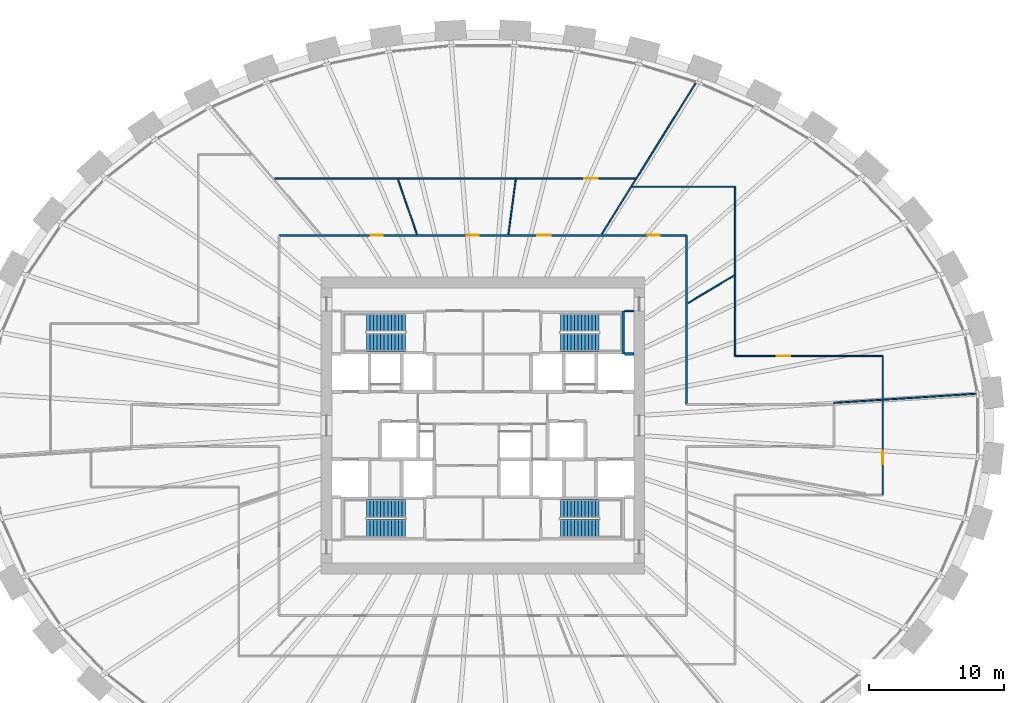
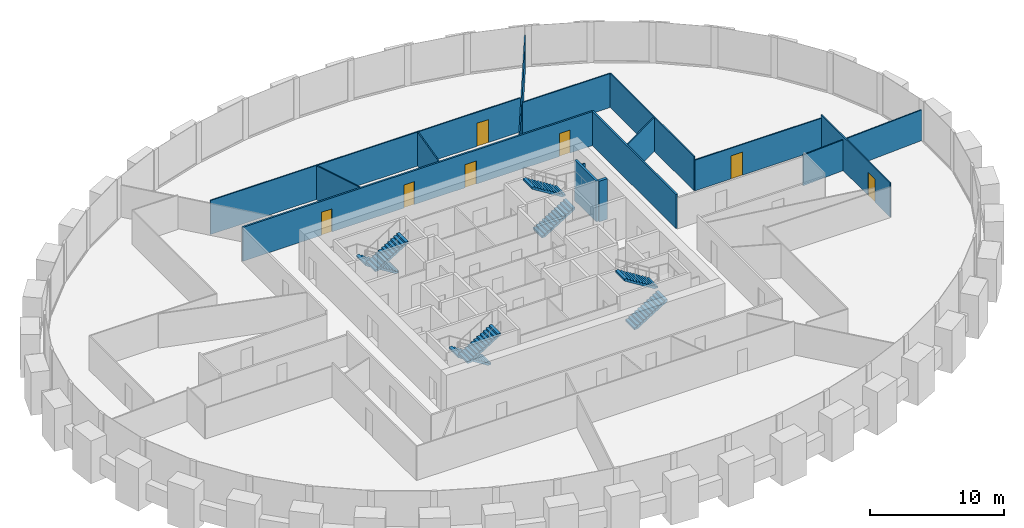
# One storey, part 9 of 10: 15 walls, 8 stair flights, 7 doors, 7 openings, 4 elements without a shape of their own.
"""IFC4 building model written with IfcOpenShell, lengths in metres."""

from ifc_helpers import new_model, si_unit, direction, frame, frame_2d, origin, place, context, subcontext, project, spatial, polyline, rectangle, outline, extrude, source, transform, mapped, material, layer, layer_set, type_object, element, fill, aggregate, save


model = new_model("IFC4")

# Units and contexts
model_context = context("Model", 3, precision=1e-05, world=origin(), true_north=direction((0.0, 1.0)))
body_context = subcontext(model_context, "Body", "Model", "MODEL_VIEW")
ifc_project = project(units=[si_unit("LENGTHUNIT", "METRE"), si_unit("AREAUNIT", "SQUARE_METRE"), si_unit("VOLUMEUNIT", "CUBIC_METRE"), si_unit("PLANEANGLEUNIT", "RADIAN"), si_unit("MASSUNIT", "GRAM", prefix="KILO")], contexts=[model_context])

# Site, building, storey
site_placement = place(None, origin())
site = spatial("IfcSite", under=ifc_project, at=site_placement, CompositionType="ELEMENT")
building_placement = place(site_placement, origin())
building = spatial("IfcBuilding", under=site, at=building_placement, Name="Embergate Tower", CompositionType="ELEMENT")
storey_placement = place(building_placement, frame((0.0, 0.0, 156.0)))
storey = spatial("IfcBuildingStorey", under=building, at=storey_placement, Name="L34", CompositionType="ELEMENT", Elevation=156.0)

# Wall, opening, door
ifc_material_1 = material(Name="Partition dry-lined 100")
ifc_layer_1 = layer(ifc_material_1, 0.10009765625)
ifc_layer_set_1 = layer_set([ifc_layer_1], Name="Partition dry-lined 100")
wall_type_1 = type_object("IfcWallType", Name="Partition dry-lined 100", PredefinedType="PARTITIONING", material=ifc_layer_set_1)
shared_shape_1 = source(origin(), body_context, "Body", "SweptSolid", [
    extrude(rectangle(XDim=10.949951171875, YDim=0.10009765625, at=frame_2d((5.47509765625, 0.0))), origin(), (0.0, 0.0, 1.0), 2.800048828125),
])
wall_1_placement = place(storey_placement, frame((29.64990234375, 5.14990234375, 0.0), z_axis=(0.0, 0.0, 1.0), x_axis=(-1.0, 0.0, 0.0)))
wall_1 = element("IfcWall", 1, at=wall_1_placement, inside=storey, type_object=wall_type_1, Name="IP-1 wall", PredefinedType="PARTITIONING", context=body_context, shape_type="MappedRepresentation", body=[
    mapped(shared_shape_1, transform((0.0, 0.0, 0.0))),
])
shared_shape_2 = source(origin(), body_context, "Body", "SweptSolid", [
    extrude(rectangle(XDim=1.0, YDim=2.10009765625, at=frame_2d((0.5, 1.050048828125))), frame((0.0, 0.06005859375, 0.0), z_axis=(0.0, -1.0, 0.0), x_axis=(1.0, 0.0, 0.0)), (0.0, 0.0, 1.0), 0.1201171875),
])
opening_1_placement = place(wall_1_placement, frame((6.844970703125, 0.0, 0.0)))
opening_1 = element("IfcOpeningElement", 2, at=opening_1_placement, cuts=wall_1, Name="Opening ID-2", PredefinedType="OPENING", context=body_context, shape_type="MappedRepresentation", body=[
    mapped(shared_shape_2, transform((0.0, 0.0, 0.0))),
])
ifc_material_2 = material(Name="Interior door 1000")
door_type_1 = type_object("IfcDoorType", Name="Interior door 1000", OperationType="SINGLE_SWING_LEFT", PredefinedType="DOOR", material=ifc_material_2)
shared_shape_3 = source(origin(), body_context, "Body", "SweptSolid", [
    extrude(rectangle(XDim=1.0, YDim=2.10009765625, at=frame_2d((0.5, 1.050048828125))), frame((0.0, 0.02490234375, 0.0), z_axis=(0.0, -1.0, 0.0), x_axis=(1.0, 0.0, 0.0)), (0.0, 0.0, 1.0), 0.050048828125),
])
door_1_placement = place(opening_1_placement, origin())
door_1 = element("IfcDoor", 3, at=door_1_placement, inside=storey, type_object=door_type_1, Name="ID-2 door", OperationType="SINGLE_SWING_LEFT", OverallHeight=2.10009765625, OverallWidth=1.0, PredefinedType="DOOR", context=body_context, shape_type="MappedRepresentation", body=[
    mapped(shared_shape_3, transform((0.0, 0.0, 0.0))),
])
fill(opening_1, door_1)

# Walls
ifc_material_3 = material(Name="Concrete C50", Category="concrete")
ifc_layer_2 = layer(ifc_material_3, 0.199951171875)
ifc_layer_set_2 = layer_set([ifc_layer_2], Name="Concrete C50")
wall_type_2 = type_object("IfcWallType", Name="Stair enclosure wall reinforced concrete 250", PredefinedType="SHEAR", material=ifc_layer_set_2)
shared_shape_4 = source(origin(), body_context, "Body", "SweptSolid", [
    extrude(rectangle(XDim=3.196044921875, YDim=0.199951171875, at=frame_2d((1.59814453125, 0.0))), origin(), (0.0, 0.0, 1.0), 3.699951171875),
])
wall_2_placement = place(storey_placement, frame((10.39990234375, 5.302001953125, 0.0), z_axis=(0.0, 0.0, 1.0), x_axis=(0.0, 1.0, 0.0)))
element("IfcWall", 4, at=wall_2_placement, inside=storey, type_object=wall_type_2, Name="SE-1 wall", PredefinedType="SHEAR", context=body_context, shape_type="MappedRepresentation", body=[
    mapped(shared_shape_4, transform((0.0, 0.0, 0.0))),
])
ifc_layer_3 = layer(ifc_material_3, 0.25)
ifc_layer_set_3 = layer_set([ifc_layer_3], Name="Concrete C50")
wall_type_3 = type_object("IfcWallType", Name="Hoistway wall reinforced concrete 250", PredefinedType="SHEAR", material=ifc_layer_set_3)
shared_shape_5 = source(origin(), body_context, "Body", "SweptSolid", [
    extrude(rectangle(XDim=0.697998046875, YDim=0.25, at=frame_2d((0.34912109375, 0.0))), origin(), (0.0, 0.0, 1.0), 3.699951171875),
])
wall_3_placement = place(storey_placement, frame((11.199951171875, 5.300048828125, 0.0), z_axis=(0.0, 0.0, 1.0), x_axis=(-1.0, 0.0, 0.0)))
element("IfcWall", 5, at=wall_3_placement, inside=storey, type_object=wall_type_3, Name="HW-1 wall", PredefinedType="SHEAR", context=body_context, shape_type="MappedRepresentation", body=[
    mapped(shared_shape_5, transform((0.0, 0.0, 0.0))),
])
ifc_material_4 = material(Name="Core partition blockwork 120")
ifc_layer_4 = layer(ifc_material_4, 0.1201171875)
ifc_layer_set_4 = layer_set([ifc_layer_4], Name="Core partition blockwork 120")
wall_type_4 = type_object("IfcWallType", Name="Core partition blockwork 120", PredefinedType="PARTITIONING", material=ifc_layer_set_4)
shared_shape_6 = source(origin(), body_context, "Body", "SweptSolid", [
    extrude(rectangle(XDim=0.697998046875, YDim=0.1201171875, at=frame_2d((0.34912109375, 0.0))), origin(), (0.0, 0.0, 1.0), 3.10009765625),
])
wall_4_placement = place(storey_placement, frame((10.501953125, 8.5, 0.0), z_axis=(0.0, 0.0, 1.0), x_axis=(1.0, 0.0, 0.0)))
element("IfcWall", 6, at=wall_4_placement, inside=storey, type_object=wall_type_4, Name="IP-3 wall", PredefinedType="PARTITIONING", context=body_context, shape_type="MappedRepresentation", body=[
    mapped(shared_shape_6, transform((0.0, 0.0, 0.0))),
])
shared_shape_7 = source(origin(), body_context, "Body", "SweptSolid", [
    extrude(rectangle(XDim=13.261962890625, YDim=0.10009765625, at=frame_2d((6.630859375, 0.0))), origin(), (0.0, 0.0, 1.0), 2.89990234375),
])
wall_5_placement = place(storey_placement, frame((8.824951171875, 14.200927734375, 0.0), z_axis=(0.0, 0.0, 1.0), x_axis=(0.527822867261, 0.849354472995, 0.0)))
element("IfcWall", 7, at=wall_5_placement, inside=storey, type_object=wall_type_1, Name="IP-1 wall", PredefinedType="PARTITIONING", context=body_context, shape_type="MappedRepresentation", body=[
    mapped(shared_shape_7, transform((0.0, 0.0, 0.0))),
])
ifc_material_5 = material(Name="Corridor wall dry-lined 150")
ifc_layer_5 = layer(ifc_material_5, 0.14990234375)
ifc_layer_set_5 = layer_set([ifc_layer_5], Name="Corridor wall dry-lined 150")
wall_type_5 = type_object("IfcWallType", Name="Corridor wall dry-lined 150", PredefinedType="PARTITIONING", material=ifc_layer_set_5)
shared_shape_8 = source(origin(), body_context, "Body", "SweptSolid", [
    extrude(rectangle(XDim=12.550048828125, YDim=0.14990234375, at=frame_2d((6.27490234375, 0.0))), origin(), (0.0, 0.0, 1.0), 3.10009765625),
])
wall_6_placement = place(storey_placement, frame((15.10009765625, 1.550048828125, 0.0), z_axis=(0.0, 0.0, 1.0), x_axis=(0.0, 1.0, 0.0)))
element("IfcWall", 8, at=wall_6_placement, inside=storey, type_object=wall_type_5, Name="IP-2 wall", PredefinedType="PARTITIONING", context=body_context, shape_type="MappedRepresentation", body=[
    mapped(shared_shape_8, transform((0.0, 0.0, 0.0))),
])

# Wall, openings, doors
shared_shape_9 = source(origin(), body_context, "Body", "SweptSolid", [
    extrude(rectangle(XDim=30.2001953125, YDim=0.14990234375, at=frame_2d((15.10009765625, 0.0))), origin(), (0.0, 0.0, 1.0), 3.10009765625),
])
wall_7_placement = place(storey_placement, frame((-15.10009765625, 14.10009765625, 0.0), z_axis=(0.0, 0.0, 1.0), x_axis=(1.0, 0.0, 0.0)))
wall_7 = element("IfcWall", 9, at=wall_7_placement, inside=storey, type_object=wall_type_5, Name="IP-2 wall", PredefinedType="PARTITIONING", context=body_context, shape_type="MappedRepresentation", body=[
    mapped(shared_shape_9, transform((0.0, 0.0, 0.0))),
])
shared_shape_10 = source(origin(), body_context, "Body", "SweptSolid", [
    extrude(rectangle(XDim=0.89990234375, YDim=2.10009765625, at=frame_2d((0.449951171875, 1.050048828125))), frame((0.0, 0.0849609375, 0.0), z_axis=(0.0, -1.0, 0.0), x_axis=(1.0, 0.0, 0.0)), (0.0, 0.0, 1.0), 0.169921875),
])
opening_2_placement = place(wall_7_placement, frame((27.306884765625, 0.0, 0.0)))
opening_2 = element("IfcOpeningElement", 10, at=opening_2_placement, cuts=wall_7, Name="Opening IF-1c", PredefinedType="OPENING", context=body_context, shape_type="MappedRepresentation", body=[
    mapped(shared_shape_10, transform((0.0, 0.0, 0.0))),
])
shared_shape_11 = source(origin(), body_context, "Body", "SweptSolid", [
    extrude(rectangle(XDim=1.0, YDim=2.10009765625, at=frame_2d((0.5, 1.050048828125))), frame((0.0, 0.0849609375, 0.0), z_axis=(0.0, -1.0, 0.0), x_axis=(1.0, 0.0, 0.0)), (0.0, 0.0, 1.0), 0.169921875),
])
opening_3_placement = place(wall_7_placement, frame((19.132080078125, 0.0, 0.0)))
opening_3 = element("IfcOpeningElement", 11, at=opening_3_placement, cuts=wall_7, Name="Opening ID-2", PredefinedType="OPENING", context=body_context, shape_type="MappedRepresentation", body=[
    mapped(shared_shape_11, transform((0.0, 0.0, 0.0))),
])
opening_4_placement = place(wall_7_placement, frame((13.89599609375, 0.0, 0.0)))
opening_4 = element("IfcOpeningElement", 12, at=opening_4_placement, cuts=wall_7, Name="Opening IF-1c", PredefinedType="OPENING", context=body_context, shape_type="MappedRepresentation", body=[
    mapped(shared_shape_10, transform((0.0, 0.0, 0.0))),
])
opening_5_placement = place(wall_7_placement, frame((6.791015625, 0.0, 0.0)))
opening_5 = element("IfcOpeningElement", 13, at=opening_5_placement, cuts=wall_7, Name="Opening IF-1c", PredefinedType="OPENING", context=body_context, shape_type="MappedRepresentation", body=[
    mapped(shared_shape_10, transform((0.0, 0.0, 0.0))),
])
ifc_material_6 = material(Name="Escape fire door 900")
door_type_2 = type_object("IfcDoorType", Name="Escape fire door 900", OperationType="SINGLE_SWING_LEFT", PredefinedType="DOOR", material=ifc_material_6)
shared_shape_12 = source(origin(), body_context, "Body", "SweptSolid", [
    extrude(rectangle(XDim=0.89990234375, YDim=2.10009765625, at=frame_2d((0.449951171875, 1.050048828125))), frame((0.0, 0.02490234375, 0.0), z_axis=(0.0, -1.0, 0.0), x_axis=(1.0, 0.0, 0.0)), (0.0, 0.0, 1.0), 0.050048828125),
])
door_2_placement = place(opening_2_placement, origin())
door_2 = element("IfcDoor", 14, at=door_2_placement, inside=storey, type_object=door_type_2, Name="IF-1 door", OperationType="SINGLE_SWING_LEFT", OverallHeight=2.10009765625, OverallWidth=0.89990234375, PredefinedType="DOOR", context=body_context, shape_type="MappedRepresentation", body=[
    mapped(shared_shape_12, transform((0.0, 0.0, 0.0))),
])
fill(opening_2, door_2)
door_3_placement = place(opening_4_placement, origin())
door_3 = element("IfcDoor", 15, at=door_3_placement, inside=storey, type_object=door_type_2, Name="IF-1 door", OperationType="SINGLE_SWING_RIGHT", OverallHeight=2.10009765625, OverallWidth=0.89990234375, PredefinedType="DOOR", context=body_context, shape_type="MappedRepresentation", body=[
    mapped(shared_shape_12, transform((0.0, 0.0, 0.0))),
])
fill(opening_4, door_3)
door_4_placement = place(opening_5_placement, origin())
door_4 = element("IfcDoor", 16, at=door_4_placement, inside=storey, type_object=door_type_2, Name="IF-1 door", OperationType="SINGLE_SWING_LEFT", OverallHeight=2.10009765625, OverallWidth=0.89990234375, PredefinedType="DOOR", context=body_context, shape_type="MappedRepresentation", body=[
    mapped(shared_shape_12, transform((0.0, 0.0, 0.0))),
])
fill(opening_5, door_4)
door_5_placement = place(opening_3_placement, origin())
door_5 = element("IfcDoor", 17, at=door_5_placement, inside=storey, type_object=door_type_1, Name="ID-2 door", OperationType="SINGLE_SWING_RIGHT", OverallHeight=2.10009765625, OverallWidth=1.0, PredefinedType="DOOR", context=body_context, shape_type="MappedRepresentation", body=[
    mapped(shared_shape_3, transform((0.0, 0.0, 0.0))),
])
fill(opening_3, door_5)

# Walls
shared_shape_13 = source(origin(), body_context, "Body", "SweptSolid", [
    extrude(rectangle(XDim=10.660888671875, YDim=0.10009765625, at=frame_2d((5.33056640625, 0.0))), origin(), (0.0, 0.0, 1.0), 2.800048828125),
])
wall_8_placement = place(storey_placement, frame((26.027099609375, 1.675048828125, 0.0), z_axis=(0.0, 0.0, 1.0), x_axis=(0.997933274946, 0.064258686222, 0.0)))
element("IfcWall", 18, at=wall_8_placement, inside=storey, type_object=wall_type_1, Name="IP-1 wall", PredefinedType="PARTITIONING", context=body_context, shape_type="MappedRepresentation", body=[
    mapped(shared_shape_13, transform((0.0, 0.0, 0.0))),
])
shared_shape_14 = source(origin(), body_context, "Body", "SweptSolid", [
    extrude(rectangle(XDim=12.550048828125, YDim=0.10009765625, at=frame_2d((6.27490234375, 0.0))), origin(), (0.0, 0.0, 1.0), 3.10009765625),
])
wall_9_placement = place(storey_placement, frame((18.699951171875, 5.14990234375, 0.0), z_axis=(0.0, 0.0, 1.0), x_axis=(0.0, 1.0, 0.0)))
element("IfcWall", 19, at=wall_9_placement, inside=storey, type_object=wall_type_1, Name="IP-1 wall", PredefinedType="PARTITIONING", context=body_context, shape_type="MappedRepresentation", body=[
    mapped(shared_shape_14, transform((0.0, 0.0, 0.0))),
])

# Wall, opening, door
shared_shape_15 = source(origin(), body_context, "Body", "SweptSolid", [
    extrude(rectangle(XDim=10.2998046875, YDim=0.10009765625, at=frame_2d((5.14990234375, 0.0))), origin(), (0.0, 0.0, 1.0), 3.10009765625),
])
wall_10_placement = place(storey_placement, frame((29.64990234375, 5.14990234375, 0.0), z_axis=(0.0, 0.0, 1.0), x_axis=(0.0, -1.0, 0.0)))
wall_10 = element("IfcWall", 20, at=wall_10_placement, inside=storey, type_object=wall_type_1, Name="IP-1 wall", PredefinedType="PARTITIONING", context=body_context, shape_type="MappedRepresentation", body=[
    mapped(shared_shape_15, transform((0.0, 0.0, 0.0))),
])
opening_6_placement = place(wall_10_placement, frame((7.034912109375, 0.0, 0.0)))
opening_6 = element("IfcOpeningElement", 21, at=opening_6_placement, cuts=wall_10, Name="Opening ID-2", PredefinedType="OPENING", context=body_context, shape_type="MappedRepresentation", body=[
    mapped(shared_shape_2, transform((0.0, 0.0, 0.0))),
])
door_6_placement = place(opening_6_placement, origin())
door_6 = element("IfcDoor", 22, at=door_6_placement, inside=storey, type_object=door_type_1, Name="ID-2 door", OperationType="SINGLE_SWING_LEFT", OverallHeight=2.10009765625, OverallWidth=1.0, PredefinedType="DOOR", context=body_context, shape_type="MappedRepresentation", body=[
    mapped(shared_shape_3, transform((0.0, 0.0, 0.0))),
])
fill(opening_6, door_6)

# Walls
shared_shape_16 = source(origin(), body_context, "Body", "SweptSolid", [
    extrude(rectangle(XDim=3.986328125, YDim=0.10009765625, at=frame_2d((1.9931640625, 0.0))), origin(), (0.0, 0.0, 1.0), 3.10009765625),
])
wall_11_placement = place(storey_placement, frame((15.200927734375, 9.071044921875, 0.0), z_axis=(0.0, 0.0, 1.0), x_axis=(0.858695630282, 0.512485916425, 0.0)))
element("IfcWall", 23, at=wall_11_placement, inside=storey, type_object=wall_type_1, Name="IP-1 wall", PredefinedType="PARTITIONING", context=body_context, shape_type="MappedRepresentation", body=[
    mapped(shared_shape_16, transform((0.0, 0.0, 0.0))),
])
shared_shape_17 = source(origin(), body_context, "Body", "SweptSolid", [
    extrude(rectangle(XDim=7.61083984375, YDim=0.10009765625, at=frame_2d((3.805419921875, 0.0))), origin(), (0.0, 0.0, 1.0), 3.10009765625),
])
wall_12_placement = place(storey_placement, frame((11.089111328125, 17.699951171875, 0.0), z_axis=(0.0, 0.0, 1.0), x_axis=(1.0, 0.0, 0.0)))
element("IfcWall", 24, at=wall_12_placement, inside=storey, type_object=wall_type_1, Name="IP-1 wall", PredefinedType="PARTITIONING", context=body_context, shape_type="MappedRepresentation", body=[
    mapped(shared_shape_17, transform((0.0, 0.0, 0.0))),
])
shared_shape_18 = source(origin(), body_context, "Body", "SweptSolid", [
    extrude(rectangle(XDim=4.09716796875, YDim=0.10009765625, at=frame_2d((2.048583984375, 0.0))), origin(), (0.0, 0.0, 1.0), 3.10009765625),
])
wall_13_placement = place(storey_placement, frame((1.89697265625, 14.181884765625, 0.0), z_axis=(0.0, 0.0, 1.0), x_axis=(0.1325227982, 0.991179957403, 0.0)))
element("IfcWall", 25, at=wall_13_placement, inside=storey, type_object=wall_type_1, Name="IP-1 wall", PredefinedType="PARTITIONING", context=body_context, shape_type="MappedRepresentation", body=[
    mapped(shared_shape_18, transform((0.0, 0.0, 0.0))),
])

# Wall, opening, door
shared_shape_19 = source(origin(), body_context, "Body", "SweptSolid", [
    extrude(rectangle(XDim=26.718994140625, YDim=0.10009765625, at=frame_2d((13.359375, 0.0))), origin(), (0.0, 0.0, 1.0), 3.10009765625),
])
wall_14_placement = place(storey_placement, frame((-15.43701171875, 18.300048828125, 0.0), z_axis=(0.0, 0.0, 1.0), x_axis=(1.0, 0.0, 0.0)))
wall_14 = element("IfcWall", 26, at=wall_14_placement, inside=storey, type_object=wall_type_1, Name="IP-1 wall", PredefinedType="PARTITIONING", context=body_context, shape_type="MappedRepresentation", body=[
    mapped(shared_shape_19, transform((0.0, 0.0, 0.0))),
])
opening_7_placement = place(wall_14_placement, frame((22.9453125, 0.0, 0.0)))
opening_7 = element("IfcOpeningElement", 27, at=opening_7_placement, cuts=wall_14, Name="Opening ID-2", PredefinedType="OPENING", context=body_context, shape_type="MappedRepresentation", body=[
    mapped(shared_shape_2, transform((0.0, 0.0, 0.0))),
])
door_7_placement = place(opening_7_placement, origin())
door_7 = element("IfcDoor", 28, at=door_7_placement, inside=storey, type_object=door_type_1, Name="ID-2 door", OperationType="SINGLE_SWING_LEFT", OverallHeight=2.10009765625, OverallWidth=1.0, PredefinedType="DOOR", context=body_context, shape_type="MappedRepresentation", body=[
    mapped(shared_shape_3, transform((0.0, 0.0, 0.0))),
])
fill(opening_7, door_7)

# Wall
shared_shape_20 = source(origin(), body_context, "Body", "SweptSolid", [
    extrude(rectangle(XDim=4.276611328125, YDim=0.10009765625, at=frame_2d((2.13818359375, 0.0))), origin(), (0.0, 0.0, 1.0), 3.10009765625),
])
wall_15_placement = place(storey_placement, frame((-4.89501953125, 14.19091796875, 0.0), z_axis=(0.0, 0.0, 1.0), x_axis=(-0.325973089691, 0.945379048211, 0.0)))
element("IfcWall", 29, at=wall_15_placement, inside=storey, type_object=wall_type_1, Name="IP-1 wall", PredefinedType="PARTITIONING", context=body_context, shape_type="MappedRepresentation", body=[
    mapped(shared_shape_20, transform((0.0, 0.0, 0.0))),
])

# Stair, stair flights
ifc_material_7 = material(Name="Exit stair")
stair_type = type_object("IfcStairType", Name="Exit stair", PredefinedType="HALF_TURN_STAIR", material=ifc_material_7)
stair_1_placement = place(storey_placement, origin())
stair_1 = element("IfcStair", 30, at=stair_1_placement, inside=storey, type_object=stair_type, Name="L34 Exit stair 1", PredefinedType="HALF_TURN_STAIR")
ifc_material_8 = material(Name="Concrete C40", Category="concrete")
stair_flight_type = type_object("IfcStairFlightType", Name="Stair flight reinforced concrete", PredefinedType="STRAIGHT", material=ifc_material_8)
shared_shape_21 = source(origin(), body_context, "Body", "SweptSolid", [
    extrude(outline(polyline([(0.0, 0.0), (0.0, 0.16259765625), (0.260009765625, 0.16259765625), (0.260009765625, 0.324951171875), (0.52001953125, 0.324951171875), (0.52001953125, 0.487548828125), (0.780029296875, 0.487548828125), (0.780029296875, 0.64990234375), (1.0400390625, 0.64990234375), (1.0400390625, 0.8125), (1.300048828125, 0.8125), (1.300048828125, 0.97509765625), (1.56005859375, 0.97509765625), (1.56005859375, 1.137451171875), (1.820068359375, 1.137451171875), (1.820068359375, 1.300048828125), (2.080078125, 1.300048828125), (2.080078125, 1.46240234375), (2.340087890625, 1.46240234375), (2.340087890625, 1.625), (2.60009765625, 1.625), (2.60009765625, 1.78759765625), (2.860107421875, 1.78759765625), (2.860107421875, 1.949951171875), (2.860107421875, 1.61083984375), (0.28271484375, 0.0), (0.0, 0.0)])), frame((0.0, 0.675048828125, 0.0), z_axis=(0.0, -1.0, 0.0), x_axis=(1.0, 0.0, 0.0)), (0.0, 0.0, 1.0), 1.35009765625),
])
stair_flight_1_placement = place(storey_placement, frame((-5.75, 7.625, 0.0), z_axis=(0.0, 0.0, 1.0), x_axis=(-1.0, 0.0, 0.0)))
stair_flight_1 = element("IfcStairFlight", 31, at=stair_flight_1_placement, type_object=stair_flight_type, Name="ST1 flight 1", NumberOfRisers=12, NumberOfTreads=11, PredefinedType="STRAIGHT", RiserHeight=0.1625, TreadLength=0.26, context=body_context, shape_type="MappedRepresentation", body=[
    mapped(shared_shape_21, transform((0.0, 0.0, 0.0))),
])
stair_flight_2_placement = place(storey_placement, frame((-8.610107421875, 6.175048828125, 1.949951171875), z_axis=(0.0, 0.0, 1.0), x_axis=(1.0, 0.0, 0.0)))
stair_flight_2 = element("IfcStairFlight", 32, at=stair_flight_2_placement, type_object=stair_flight_type, Name="ST1 flight 2", NumberOfRisers=12, NumberOfTreads=11, PredefinedType="STRAIGHT", RiserHeight=0.1625, TreadLength=0.26, context=body_context, shape_type="MappedRepresentation", body=[
    mapped(shared_shape_21, transform((0.0, 0.0, 0.0))),
])
aggregate(stair_1, [stair_flight_1, stair_flight_2])

stair_2_placement = place(storey_placement, origin())
stair_2 = element("IfcStair", 33, at=stair_2_placement, inside=storey, type_object=stair_type, Name="L34 Exit stair 2", PredefinedType="HALF_TURN_STAIR")
stair_flight_3_placement = place(storey_placement, frame((5.75, 6.175048828125, 0.0), z_axis=(0.0, 0.0, 1.0), x_axis=(1.0, 0.0, 0.0)))
stair_flight_3 = element("IfcStairFlight", 34, at=stair_flight_3_placement, type_object=stair_flight_type, Name="ST2 flight 1", NumberOfRisers=12, NumberOfTreads=11, PredefinedType="STRAIGHT", RiserHeight=0.1625, TreadLength=0.26, context=body_context, shape_type="MappedRepresentation", body=[
    mapped(shared_shape_21, transform((0.0, 0.0, 0.0))),
])
stair_flight_4_placement = place(storey_placement, frame((8.610107421875, 7.625, 1.949951171875), z_axis=(0.0, 0.0, 1.0), x_axis=(-1.0, 0.0, 0.0)))
stair_flight_4 = element("IfcStairFlight", 35, at=stair_flight_4_placement, type_object=stair_flight_type, Name="ST2 flight 2", NumberOfRisers=12, NumberOfTreads=11, PredefinedType="STRAIGHT", RiserHeight=0.1625, TreadLength=0.26, context=body_context, shape_type="MappedRepresentation", body=[
    mapped(shared_shape_21, transform((0.0, 0.0, 0.0))),
])
aggregate(stair_2, [stair_flight_3, stair_flight_4])

stair_3_placement = place(storey_placement, origin())
stair_3 = element("IfcStair", 36, at=stair_3_placement, inside=storey, type_object=stair_type, Name="L34 Exit stair 3", PredefinedType="HALF_TURN_STAIR")
stair_flight_5_placement = place(storey_placement, frame((-5.75, -6.175048828125, 0.0), z_axis=(0.0, 0.0, 1.0), x_axis=(-1.0, 0.0, 0.0)))
stair_flight_5 = element("IfcStairFlight", 37, at=stair_flight_5_placement, type_object=stair_flight_type, Name="ST3 flight 1", NumberOfRisers=12, NumberOfTreads=11, PredefinedType="STRAIGHT", RiserHeight=0.1625, TreadLength=0.26, context=body_context, shape_type="MappedRepresentation", body=[
    mapped(shared_shape_21, transform((0.0, 0.0, 0.0))),
])
stair_flight_6_placement = place(storey_placement, frame((-8.610107421875, -7.625, 1.949951171875), z_axis=(0.0, 0.0, 1.0), x_axis=(1.0, 0.0, 0.0)))
stair_flight_6 = element("IfcStairFlight", 38, at=stair_flight_6_placement, type_object=stair_flight_type, Name="ST3 flight 2", NumberOfRisers=12, NumberOfTreads=11, PredefinedType="STRAIGHT", RiserHeight=0.1625, TreadLength=0.26, context=body_context, shape_type="MappedRepresentation", body=[
    mapped(shared_shape_21, transform((0.0, 0.0, 0.0))),
])
aggregate(stair_3, [stair_flight_5, stair_flight_6])

stair_4_placement = place(storey_placement, origin())
stair_4 = element("IfcStair", 39, at=stair_4_placement, inside=storey, type_object=stair_type, Name="L34 Exit stair 4", PredefinedType="HALF_TURN_STAIR")
stair_flight_7_placement = place(storey_placement, frame((5.75, -7.625, 0.0), z_axis=(0.0, 0.0, 1.0), x_axis=(1.0, 0.0, 0.0)))
stair_flight_7 = element("IfcStairFlight", 40, at=stair_flight_7_placement, type_object=stair_flight_type, Name="ST4 flight 1", NumberOfRisers=12, NumberOfTreads=11, PredefinedType="STRAIGHT", RiserHeight=0.1625, TreadLength=0.26, context=body_context, shape_type="MappedRepresentation", body=[
    mapped(shared_shape_21, transform((0.0, 0.0, 0.0))),
])
stair_flight_8_placement = place(storey_placement, frame((8.610107421875, -6.175048828125, 1.949951171875), z_axis=(0.0, 0.0, 1.0), x_axis=(-1.0, 0.0, 0.0)))
stair_flight_8 = element("IfcStairFlight", 41, at=stair_flight_8_placement, type_object=stair_flight_type, Name="ST4 flight 2", NumberOfRisers=12, NumberOfTreads=11, PredefinedType="STRAIGHT", RiserHeight=0.1625, TreadLength=0.26, context=body_context, shape_type="MappedRepresentation", body=[
    mapped(shared_shape_21, transform((0.0, 0.0, 0.0))),
])
aggregate(stair_4, [stair_flight_7, stair_flight_8])

save(model, "model.ifc")
